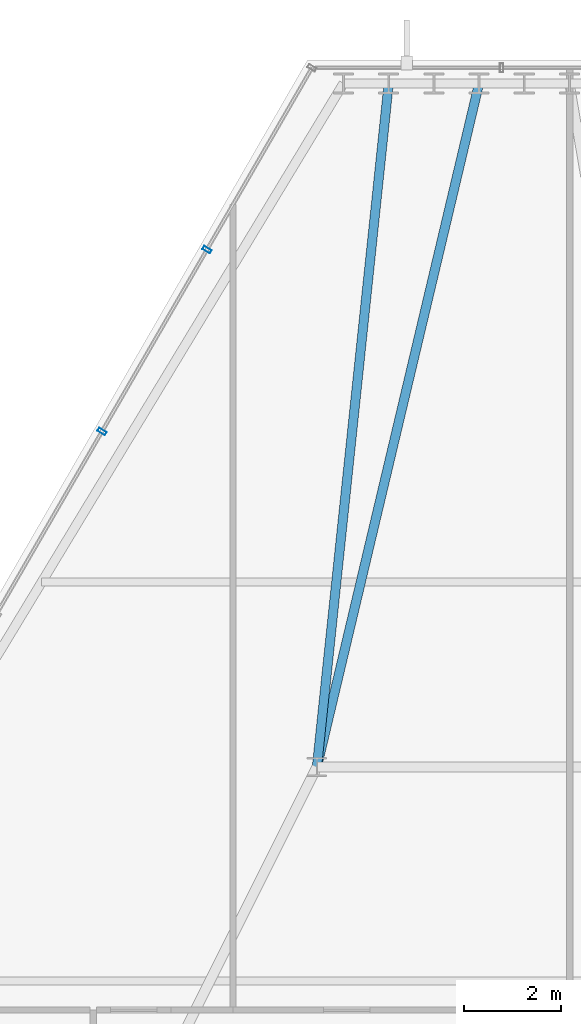
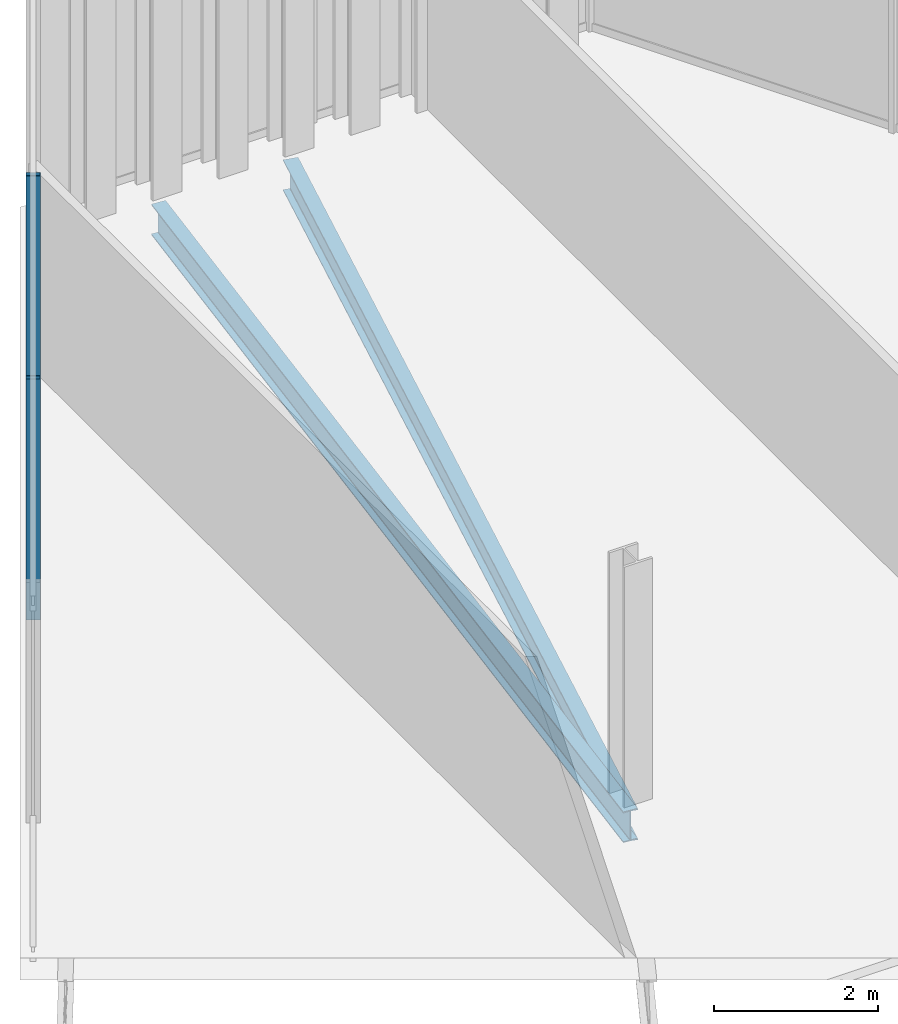
# One storey, part 20 of 30: 2 beams, 2 members, 1 element without a shape of its own.
"""IFC4 building model written with IfcOpenShell, lengths in metres."""

from ifc_helpers import new_model, si_unit, direction, frame, origin, origin_2d, place, context, subcontext, project, spatial, hollow_rectangle, i_section, extrude, material, layer, layer_set, material_profile, profile_set, type_object, element, aggregate, save


model = new_model("IFC4")

# Units and contexts
model_context = context("Model", 3, precision=1e-05, world=origin(), true_north=direction((0.0, 1.0)))
body_context = subcontext(model_context, "Body", "Model", "MODEL_VIEW")
ifc_project = project(units=[si_unit("LENGTHUNIT", "METRE"), si_unit("AREAUNIT", "SQUARE_METRE"), si_unit("VOLUMEUNIT", "CUBIC_METRE"), si_unit("PLANEANGLEUNIT", "RADIAN"), si_unit("MASSUNIT", "GRAM", prefix="KILO")], contexts=[model_context])

# Site, building, storey
site_placement = place(None, origin())
site = spatial("IfcSite", under=ifc_project, at=site_placement, CompositionType="ELEMENT")
building_placement = place(site_placement, origin())
building = spatial("IfcBuilding", under=site, at=building_placement, Name="Ndaravel Arena Tower", CompositionType="ELEMENT")
storey_placement = place(building_placement, frame((0.0, 0.0, 221.800048828125)))
storey = spatial("IfcBuildingStorey", under=building, at=storey_placement, Name="L53", CompositionType="ELEMENT", Elevation=221.800048828125)

# Beams
ifc_material_1 = material(Name="Steel S355", Category="steel")
ifc_material_profile_1 = material_profile(ifc_material_1, i_section(OverallWidth=0.19140625, OverallDepth=0.4599609375, WebThickness=0.010009765625, FlangeThickness=0.01611328125, FilletRadius=0.01025390625, at=origin_2d()), Name="UB 457x191x82")
ifc_profile_set_1 = profile_set([ifc_material_profile_1], Name="Steel S355")
beam_type = type_object("IfcBeamType", Name="BM-GIRD-UB457", PredefinedType="BEAM", material=ifc_profile_set_1)
beam_1_placement = place(storey_placement, frame((41.535400390625, 45.2578125, -0.449951171875), z_axis=(-0.23085668611, -0.972987764814, 0.0), x_axis=(0.972987764814, -0.23085668611, 0.0)))
element("IfcBeam", 1, at=beam_1_placement, inside=storey, type_object=beam_type, Name="L53 Radial Floor Girder FG-15", PredefinedType="BEAM", context=body_context, shape_type="SweptSolid", body=[
    extrude(i_section(OverallWidth=0.19140625, OverallDepth=0.4599609375, WebThickness=0.010009765625, FlangeThickness=0.01611328125, FilletRadius=0.01025390625, at=origin_2d()), origin(), (0.0, 0.0, 1.0), 14.4482421875),
])
beam_2_placement = place(storey_placement, frame((39.6767578125, 45.2578125, -0.449951171875), z_axis=(-0.104477094802, -0.99452729307, 0.0), x_axis=(0.99452729307, -0.104477094802, 0.0)))
element("IfcBeam", 2, at=beam_2_placement, inside=storey, type_object=beam_type, Name="L53 Radial Floor Girder FG-17", PredefinedType="BEAM", context=body_context, shape_type="SweptSolid", body=[
    extrude(i_section(OverallWidth=0.19140625, OverallDepth=0.4599609375, WebThickness=0.010009765625, FlangeThickness=0.01611328125, FilletRadius=0.01025390625, at=origin_2d()), origin(), (0.0, 0.0, 1.0), 14.13525390625),
])

# Curtain wall, members
ifc_material_2 = material(Name="Aluminium", Category="aluminium")
ifc_layer = layer(ifc_material_2, 0.179931640625)
ifc_layer_set = layer_set([ifc_layer], Name="Aluminium")
curtain_wall_type = type_object("IfcCurtainWallType", Name="CW-SYS-03", PredefinedType="NOTDEFINED", material=ifc_layer_set)
curtain_wall_placement = place(storey_placement, origin())
curtain_wall = element("IfcCurtainWall", 3, at=curtain_wall_placement, inside=storey, type_object=curtain_wall_type, Name="L53 Faceted Crystal Curtain Wall CW-L53-E05", PredefinedType="NOTDEFINED")
ifc_material_3 = material(Name="Aluminium", Category="aluminium")
ifc_material_profile_2 = material_profile(ifc_material_3, hollow_rectangle(XDim=0.074951171875, YDim=0.179931640625, WallThickness=0.00390625, at=origin_2d()), Name="CW MULLION 75x180x4")
ifc_profile_set_2 = profile_set([ifc_material_profile_2], Name="Aluminium")
member_type = type_object("IfcMemberType", Name="MEM-CW-MUL180", PredefinedType="MULLION", material=ifc_profile_set_2)
member_1_placement = place(storey_placement, frame((35.93896484375, 41.837890625, 0.0), z_axis=(0.0, 0.0, 1.0), x_axis=(-0.5, -0.866025403784, 0.0)))
member_1 = element("IfcMember", 4, at=member_1_placement, type_object=member_type, Name="CW-L53-E05 Mullion 01", PredefinedType="MULLION", context=body_context, shape_type="SweptSolid", body=[
    extrude(hollow_rectangle(XDim=0.074951171875, YDim=0.179931640625, WallThickness=0.00390625, at=origin_2d()), origin(), (0.0, 0.0, 1.0), 3.579833984375),
])
member_2_placement = place(storey_placement, frame((33.77978515625, 38.097900390625, 0.0), z_axis=(0.0, 0.0, 1.0), x_axis=(-0.5, -0.866025403784, 0.0)))
member_2 = element("IfcMember", 5, at=member_2_placement, type_object=member_type, Name="CW-L53-E05 Mullion 02", PredefinedType="MULLION", context=body_context, shape_type="SweptSolid", body=[
    extrude(hollow_rectangle(XDim=0.074951171875, YDim=0.179931640625, WallThickness=0.00390625, at=origin_2d()), origin(), (0.0, 0.0, 1.0), 3.579833984375),
])
aggregate(curtain_wall, [member_1, member_2])

save(model, "model.ifc")
